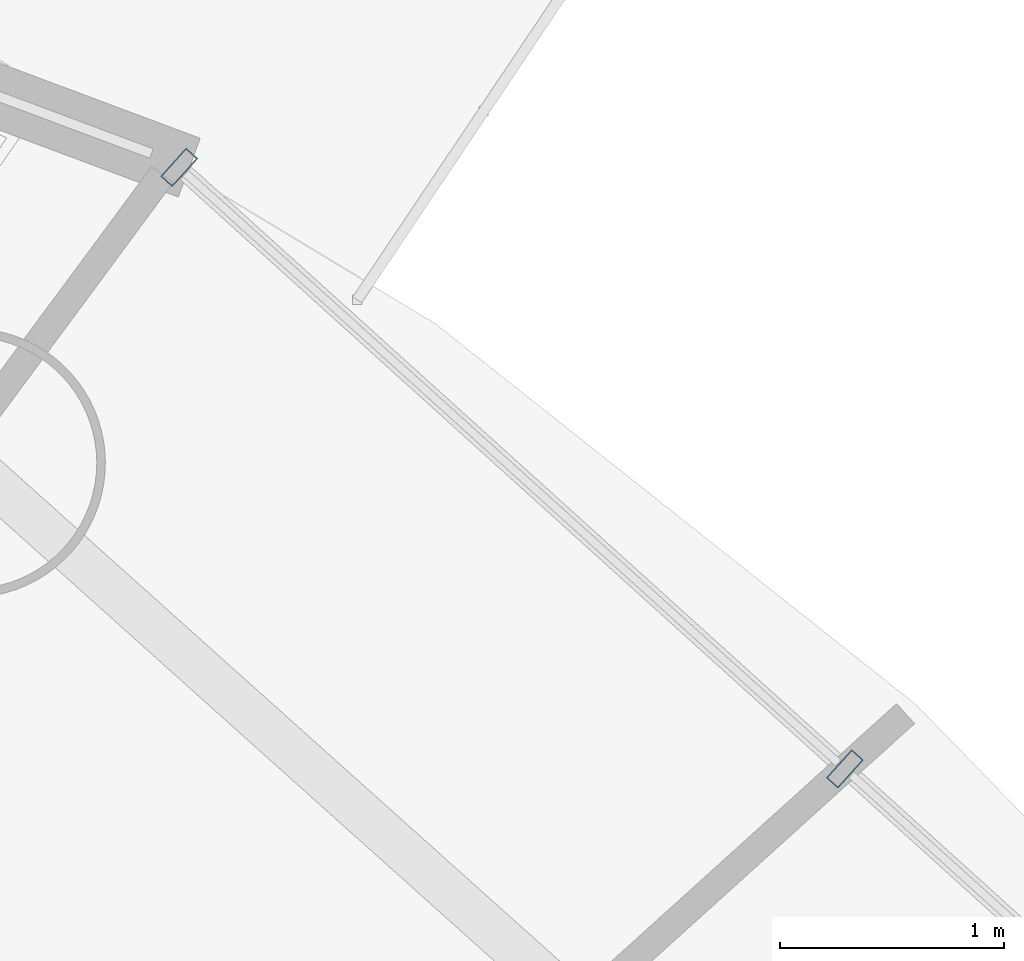
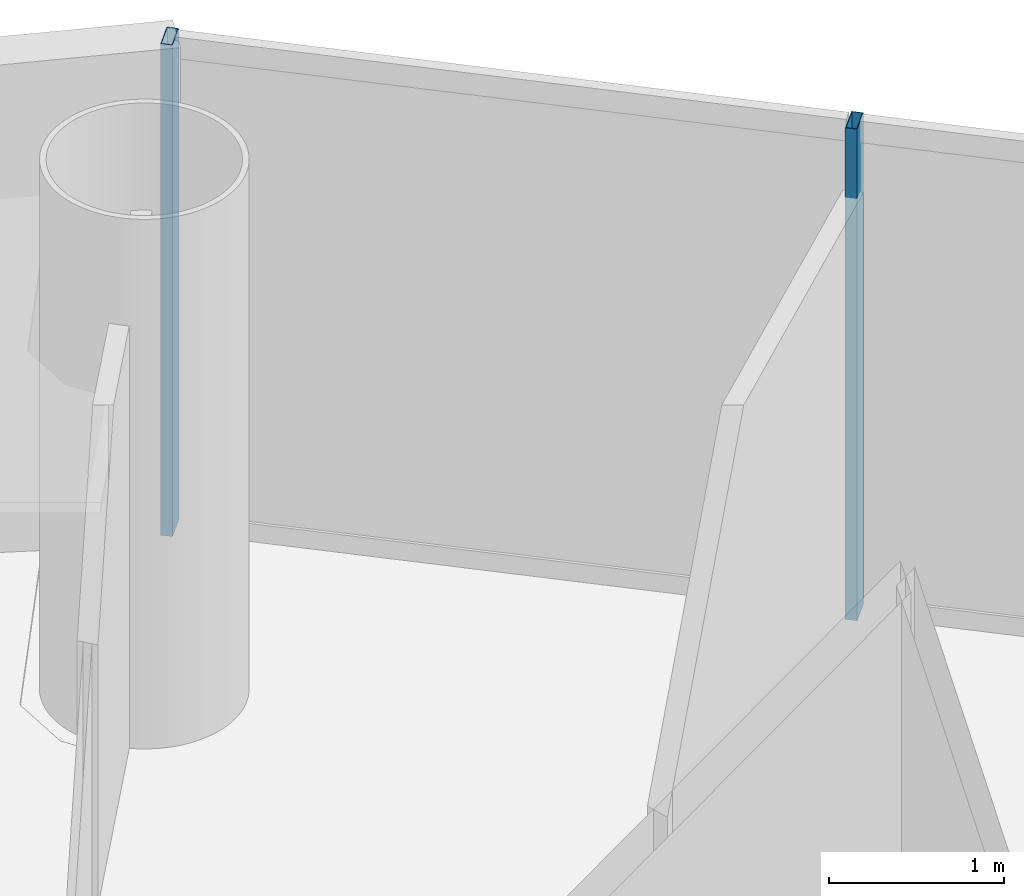
# One storey, part 18 of 26: 2 members, 1 element without a shape of its own.
"""IFC4 building model written with IfcOpenShell, lengths in metres."""

from ifc_helpers import new_model, si_unit, direction, frame, origin, origin_2d, place, context, subcontext, project, spatial, hollow_rectangle, extrude, source, transform, mapped, material, material_profile, profile_set, type_object, element, aggregate, save


model = new_model("IFC4")

# Units and contexts
model_context = context("Model", 3, precision=1e-05, world=origin(), true_north=direction((-0.2419218956, 0.970295726276)))
body_context = subcontext(model_context, "Body", "Model", "MODEL_VIEW")
ifc_project = project(units=[si_unit("LENGTHUNIT", "METRE"), si_unit("AREAUNIT", "SQUARE_METRE"), si_unit("VOLUMEUNIT", "CUBIC_METRE"), si_unit("PLANEANGLEUNIT", "RADIAN"), si_unit("MASSUNIT", "GRAM", prefix="KILO")], contexts=[model_context])

# Site, building, storey
site_placement = place(None, origin())
site = spatial("IfcSite", under=ifc_project, at=site_placement, CompositionType="ELEMENT")
building_placement = place(site_placement, origin())
building = spatial("IfcBuilding", under=site, at=building_placement, Name="Cobrevalo Terracotta Tower", CompositionType="ELEMENT")
storey_placement = place(building_placement, frame((0.0, 0.0, 220.800048828125)))
storey = spatial("IfcBuildingStorey", under=building, at=storey_placement, Name="L58", CompositionType="ELEMENT", Elevation=220.800048828125)

# Curtain wall, members
ifc_material = material(Name="Anodized aluminium", Category="aluminium")
curtain_wall_type = type_object("IfcCurtainWallType", Name="Mid-tower high-wind unitised curtain wall CW-U2", PredefinedType="NOTDEFINED", material=ifc_material)
curtain_wall_placement = place(storey_placement, origin())
curtain_wall = element("IfcCurtainWall", 1, at=curtain_wall_placement, inside=storey, type_object=curtain_wall_type, Name="L58 curtain wall CW-L58-S02", PredefinedType="NOTDEFINED")
ifc_material_profile = material_profile(ifc_material, hollow_rectangle(XDim=0.070068359375, YDim=0.169921875, WallThickness=0.00439453125, at=origin_2d()), Name="CWM 70x170")
ifc_profile_set = profile_set([ifc_material_profile], Name="Anodized aluminium")
member_type = type_object("IfcMemberType", Name="Upper tower unitised mullion 70x170", PredefinedType="MULLION", material=ifc_profile_set)
shared_shape = source(origin(), body_context, "Body", "SweptSolid", [
    extrude(hollow_rectangle(XDim=0.070068359375, YDim=0.169921875, WallThickness=0.00439453125, at=origin_2d()), origin(), (0.0, 0.0, 1.0), 3.43505859375),
])
member_1_placement = place(storey_placement, frame((53.097900390625, 40.441650390625, 0.0), z_axis=(0.0, 0.0, 1.0), x_axis=(-0.741987542015, 0.670413668935, 0.0)))
member_1 = element("IfcMember", 2, at=member_1_placement, type_object=member_type, Name="CW-L58-S02 vertical mullion 02", PredefinedType="MULLION", context=body_context, shape_type="MappedRepresentation", body=[
    mapped(shared_shape, transform((0.0, 0.0, 0.0), scale=1.0)),
])
member_2_placement = place(storey_placement, frame((50.12451171875, 43.128173828125, 0.0), z_axis=(0.0, 0.0, 1.0), x_axis=(-0.741987542015, 0.670413668935, 0.0)))
member_2 = element("IfcMember", 3, at=member_2_placement, type_object=member_type, Name="CW-L58-S02 vertical mullion 03", PredefinedType="MULLION", context=body_context, shape_type="MappedRepresentation", body=[
    mapped(shared_shape, transform((0.0, 0.0, 0.0), scale=1.0)),
])
aggregate(curtain_wall, [member_1, member_2])

save(model, "model.ifc")
